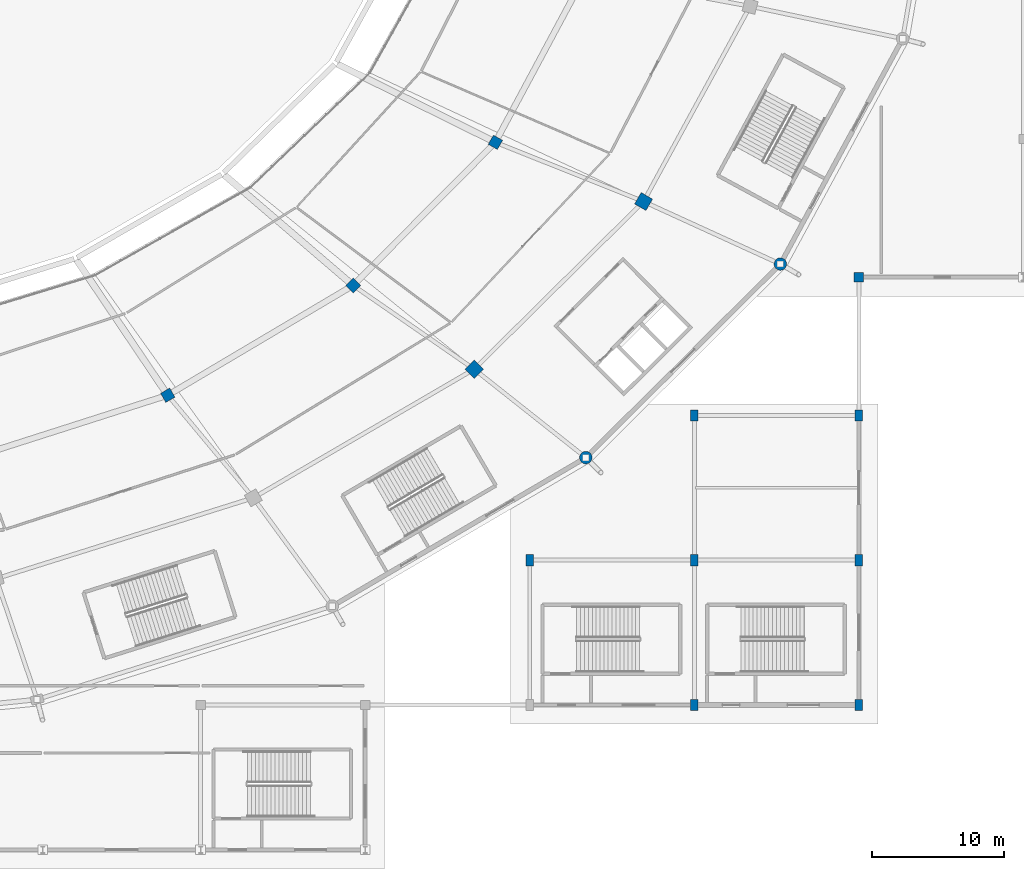
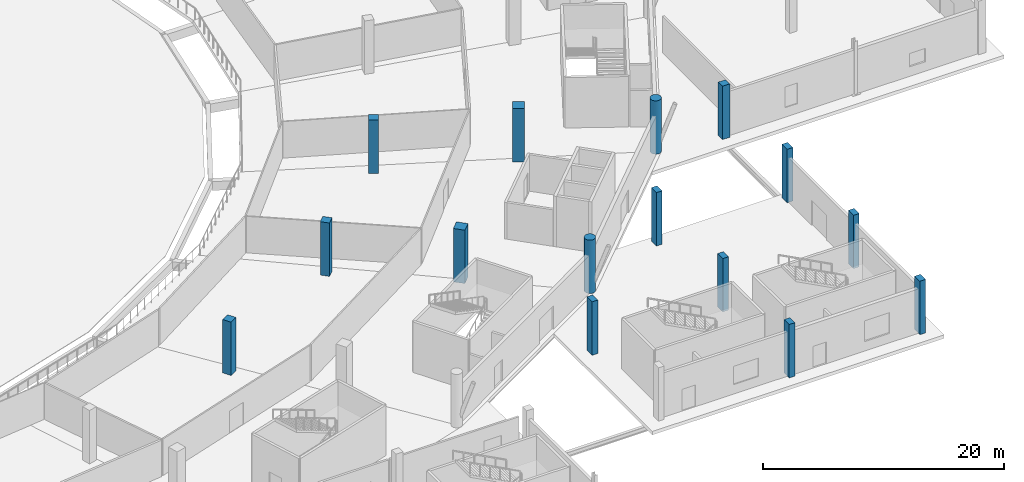
# One storey, part 12 of 82: 15 columns.
"""IFC4 building model written with IfcOpenShell, lengths in metres."""

from ifc_helpers import new_model, si_unit, direction, frame, origin, origin_2d, place, context, subcontext, project, spatial, rectangle, circle, extrude, material, material_profile, profile_set, type_object, element, save


model = new_model("IFC4")

# Units and contexts
model_context = context("Model", 3, precision=1e-05, world=origin(), true_north=direction((0.0, 1.0)))
body_context = subcontext(model_context, "Body", "Model", "MODEL_VIEW")
ifc_project = project(units=[si_unit("LENGTHUNIT", "METRE"), si_unit("AREAUNIT", "SQUARE_METRE"), si_unit("VOLUMEUNIT", "CUBIC_METRE"), si_unit("PLANEANGLEUNIT", "RADIAN"), si_unit("MASSUNIT", "GRAM", prefix="KILO")], contexts=[model_context])

# Site, building, storey
site_placement = place(None, origin())
site = spatial("IfcSite", under=ifc_project, at=site_placement, CompositionType="ELEMENT")
building_placement = place(site_placement, origin())
building = spatial("IfcBuilding", under=site, at=building_placement, Name="Zlatoyarsky Gate Stadium", CompositionType="ELEMENT")
storey_placement = place(building_placement, origin())
storey = spatial("IfcBuildingStorey", under=building, at=storey_placement, Name="L00", CompositionType="ELEMENT", Elevation=0.0)

# Columns
ifc_material = material(Name="Concrete C40/50", Category="concrete")
ifc_material_profile_1 = material_profile(ifc_material, circle(Radius=0.47509765625, at=origin_2d()), Name="RC COL D950")
ifc_profile_set_1 = profile_set([ifc_material_profile_1], Name="Concrete C40/50")
column_type_1 = type_object("IfcColumnType", Name="CONCRETE CIRCULAR COLUMN D950", PredefinedType="COLUMN", material=ifc_profile_set_1)
for number, where, z_axis, x_axis, name in (
    (1, (176.760986328125, 29.79541015625, 0.0), (0.0, 0.0, 1.0), (0.707106781187, -0.707106781187, 0.0), "Column RC-CD95 RC-21 on L00"),
    (2, (191.540283203125, 44.5, 0.0), (0.0, 0.0, 1.0), (0.866025403784, -0.5, 0.0), "Column RC-CD95 RC-22 on L00"),
):
    element("IfcColumn", number, at=place(storey_placement, frame(where, z_axis=z_axis, x_axis=x_axis)), inside=storey, type_object=column_type_1, Name=name, PredefinedType="COLUMN", context=body_context, shape_type="SweptSolid", body=[
        extrude(circle(Radius=0.47509765625, at=origin_2d()), origin(), (0.0, 0.0, 1.0), 5.39990234375),
    ])
ifc_material_profile_2 = material_profile(ifc_material, rectangle(XDim=1.0, YDim=1.0, at=origin_2d()), Name="RC COL 1000X1000")
ifc_profile_set_2 = profile_set([ifc_material_profile_2], Name="Concrete C40/50")
column_type_2 = type_object("IfcColumnType", Name="CONCRETE COLUMN 1000X1000", PredefinedType="COLUMN", material=ifc_profile_set_2)
for number, where, z_axis, x_axis, name in (
    (3, (168.275634765625, 36.512939453125, 0.0), (0.0, 0.0, 1.0), (0.707106781187, -0.707106781187, 0.0), "Column RC-C100 RB-21 on L00"),
    (4, (181.148193359375, 49.25, 0.0), (0.0, 0.0, 1.0), (0.866025403784, -0.5, 0.0), "Column RC-C100 RB-22 on L00"),
):
    element("IfcColumn", number, at=place(storey_placement, frame(where, z_axis=z_axis, x_axis=x_axis)), inside=storey, type_object=column_type_2, Name=name, PredefinedType="COLUMN", context=body_context, shape_type="SweptSolid", body=[
        extrude(rectangle(XDim=1.0, YDim=1.0, at=origin_2d()), origin(), (0.0, 0.0, 1.0), 5.39990234375),
    ])
ifc_material_profile_3 = material_profile(ifc_material, rectangle(XDim=0.699951171875, YDim=0.699951171875, at=origin_2d()), Name="RC COL 700X700")
ifc_profile_set_3 = profile_set([ifc_material_profile_3], Name="Concrete C40/50")
column_type_3 = type_object("IfcColumnType", Name="CONCRETE COLUMN 700X700", PredefinedType="COLUMN", material=ifc_profile_set_3)
column_placement = place(storey_placement, frame((197.5, 43.5, 0.0), z_axis=(0.0, 0.0, 1.0), x_axis=(1.0, 0.0, 0.0)))
element("IfcColumn", 5, at=column_placement, inside=storey, type_object=column_type_3, Name="Column RC-C70 WG-17-E on L00", PredefinedType="COLUMN", context=body_context, shape_type="SweptSolid", body=[
    extrude(rectangle(XDim=0.699951171875, YDim=0.699951171875, at=origin_2d()), origin(), (0.0, 0.0, 1.0), 5.39990234375),
])
ifc_material_profile_4 = material_profile(ifc_material, rectangle(XDim=0.800048828125, YDim=0.800048828125, at=origin_2d()), Name="RC COL 800X800")
ifc_profile_set_4 = profile_set([ifc_material_profile_4], Name="Concrete C40/50")
column_type_4 = type_object("IfcColumnType", Name="CONCRETE COLUMN 800X800", PredefinedType="COLUMN", material=ifc_profile_set_4)
for number, where, z_axis, x_axis, name in (
    (6, (145.0, 34.53369140625, 0.0), (0.0, 0.0, 1.0), (0.5, -0.866025403784, 0.0), "Column RC-C80 RA-20 on L00"),
    (7, (159.083251953125, 42.876953125, 0.0), (0.0, 0.0, 1.0), (0.707106781187, -0.707106781187, 0.0), "Column RC-C80 RA-21 on L00"),
    (8, (169.8896484375, 53.75, 0.0), (0.0, 0.0, 1.0), (0.866025403784, -0.5, 0.0), "Column RC-C80 RA-22 on L00"),
):
    element("IfcColumn", number, at=place(storey_placement, frame(where, z_axis=z_axis, x_axis=x_axis)), inside=storey, type_object=column_type_4, Name=name, PredefinedType="COLUMN", context=body_context, shape_type="SweptSolid", body=[
        extrude(rectangle(XDim=0.800048828125, YDim=0.800048828125, at=origin_2d()), origin(), (0.0, 0.0, 1.0), 5.39990234375),
    ])
ifc_material_profile_5 = material_profile(ifc_material, rectangle(XDim=0.550048828125, YDim=0.85009765625, at=origin_2d()), Name="RC PILASTER 550X850")
ifc_profile_set_5 = profile_set([ifc_material_profile_5], Name="Concrete C40/50")
column_type_5 = type_object("IfcColumnType", Name="CONCRETE PORTAL PILASTER 550X850", PredefinedType="PILASTER", material=ifc_profile_set_5)
for number, where, z_axis, x_axis, name in (
    (9, (172.5, 22.0, 0.0), (0.0, 0.0, 1.0), (1.0, 0.0, 0.0), "Column RC-PL85 WG-15-C on L00"),
    (10, (185.0, 11.0, 0.0), (0.0, 0.0, 1.0), (1.0, 0.0, 0.0), "Column RC-PL85 WG-16-B on L00"),
    (11, (185.0, 22.0, 0.0), (0.0, 0.0, 1.0), (1.0, 0.0, 0.0), "Column RC-PL85 WG-16-C on L00"),
    (12, (185.0, 33.0, 0.0), (0.0, 0.0, 1.0), (1.0, 0.0, 0.0), "Column RC-PL85 WG-16-D on L00"),
    (13, (197.5, 11.0, 0.0), (0.0, 0.0, 1.0), (1.0, 0.0, 0.0), "Column RC-PL85 WG-17-B on L00"),
    (14, (197.5, 22.0, 0.0), (0.0, 0.0, 1.0), (1.0, 0.0, 0.0), "Column RC-PL85 WG-17-C on L00"),
    (15, (197.5, 33.0, 0.0), (0.0, 0.0, 1.0), (1.0, 0.0, 0.0), "Column RC-PL85 WG-17-D on L00"),
):
    element("IfcColumn", number, at=place(storey_placement, frame(where, z_axis=z_axis, x_axis=x_axis)), inside=storey, type_object=column_type_5, Name=name, PredefinedType="PILASTER", context=body_context, shape_type="SweptSolid", body=[
        extrude(rectangle(XDim=0.550048828125, YDim=0.85009765625, at=origin_2d()), origin(), (0.0, 0.0, 1.0), 5.39990234375),
    ])

save(model, "model.ifc")
